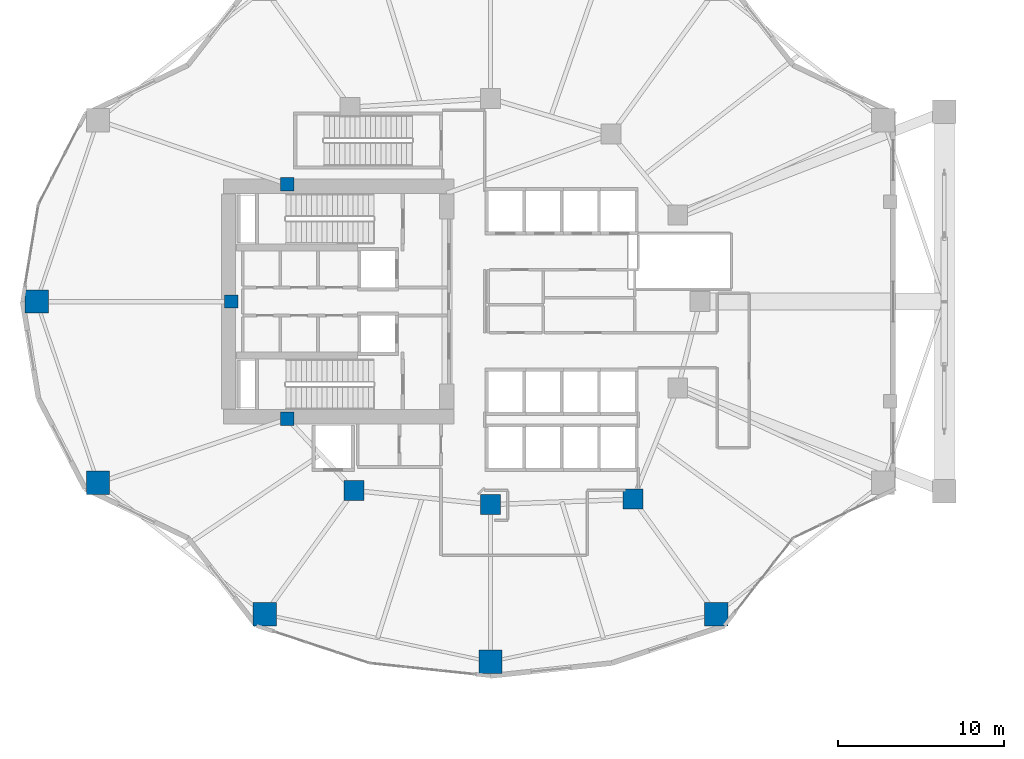
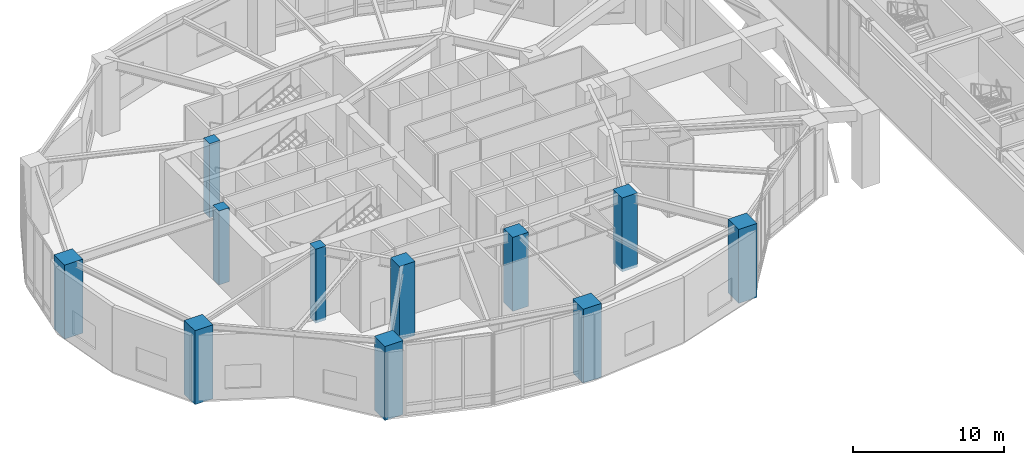
# One storey, part 1 of 25: 11 columns.
"""IFC4 building model written with IfcOpenShell, lengths in metres."""

from ifc_helpers import new_model, si_unit, direction, frame, origin, origin_2d, place, context, subcontext, project, spatial, rectangle, extrude, material, material_profile, profile_set, type_object, element, save


model = new_model("IFC4")

# Units and contexts
model_context = context("Model", 3, precision=1e-05, world=origin(), true_north=direction((0.0, 1.0)))
body_context = subcontext(model_context, "Body", "Model", "MODEL_VIEW")
ifc_project = project(units=[si_unit("LENGTHUNIT", "METRE"), si_unit("AREAUNIT", "SQUARE_METRE"), si_unit("VOLUMEUNIT", "CUBIC_METRE"), si_unit("PLANEANGLEUNIT", "RADIAN"), si_unit("MASSUNIT", "GRAM", prefix="KILO")], contexts=[model_context])

# Site, building, storey
site_placement = place(None, origin())
site = spatial("IfcSite", under=ifc_project, at=site_placement, CompositionType="ELEMENT")
building_placement = place(site_placement, origin())
building = spatial("IfcBuilding", under=site, at=building_placement, Name="Kolvaren Gate Tower and Convention Centre", CompositionType="ELEMENT")
storey_placement = place(building_placement, frame((0.0, 0.0, 15.0)))
storey = spatial("IfcBuildingStorey", under=building, at=storey_placement, Name="L03", CompositionType="ELEMENT", Elevation=15.0)

# Columns
ifc_material_1 = material(Name="Concrete C70/85", Category="concrete")
ifc_material_profile_1 = material_profile(ifc_material_1, rectangle(XDim=1.199951171875, YDim=1.199951171875, at=origin_2d()), Name="RC-COL-1200X1200")
ifc_profile_set_1 = profile_set([ifc_material_profile_1], Name="Concrete C70/85")
column_type_1 = type_object("IfcColumnType", Name="STR-COL-RC1200", PredefinedType="COLUMN", material=ifc_profile_set_1)
for number, where, z_axis, x_axis, name in (
    (1, (21.93212890625, 15.647705078125, -0.239990234375), (0.0, 0.0, 1.0), (1.0, 0.0, 0.0), "Tower L03 Interior Column TI-06"),
    (2, (30.125, 14.800048828125, -0.239990234375), (0.0, 0.0, 1.0), (1.0, 0.0, 0.0), "Tower L03 Interior Column TI-07"),
    (3, (38.6982421875, 15.12060546875, -0.239990234375), (0.0, 0.0, 1.0), (1.0, 0.0, 0.0), "Tower L03 Interior Column TI-08"),
):
    element("IfcColumn", number, at=place(storey_placement, frame(where, z_axis=z_axis, x_axis=x_axis)), inside=storey, type_object=column_type_1, Name=name, PredefinedType="COLUMN", context=body_context, shape_type="SweptSolid", body=[
        extrude(rectangle(XDim=1.199951171875, YDim=1.199951171875, at=origin_2d()), origin(), (0.0, 0.0, 1.0), 6.0),
    ])
ifc_material_profile_2 = material_profile(ifc_material_1, rectangle(XDim=1.39990234375, YDim=1.39990234375, at=origin_2d()), Name="RC-COL-1400X1400")
ifc_profile_set_2 = profile_set([ifc_material_profile_2], Name="Concrete C70/85")
column_type_2 = type_object("IfcColumnType", Name="STR-COL-RC1400", PredefinedType="COLUMN", material=ifc_profile_set_2)
for number, where, z_axis, x_axis, name in (
    (4, (2.85009765625, 27.0, -0.239990234375), (0.0, 0.0, 1.0), (1.0, 0.0, 0.0), "Tower L03 Perimeter Supercolumn TP-07"),
    (5, (6.539794921875, 16.1064453125, -0.239990234375), (0.0, 0.0, 1.0), (1.0, 0.0, 0.0), "Tower L03 Perimeter Supercolumn TP-08"),
    (6, (16.559814453125, 8.20361328125, -0.239990234375), (0.0, 0.0, 1.0), (1.0, 0.0, 0.0), "Tower L03 Perimeter Supercolumn TP-09"),
    (7, (30.125, 5.35009765625, -0.239990234375), (0.0, 0.0, 1.0), (1.0, 0.0, 0.0), "Tower L03 Perimeter Supercolumn TP-10"),
    (8, (43.690185546875, 8.20361328125, -0.239990234375), (0.0, 0.0, 1.0), (1.0, 0.0, 0.0), "Tower L03 Perimeter Supercolumn TP-11"),
):
    element("IfcColumn", number, at=place(storey_placement, frame(where, z_axis=z_axis, x_axis=x_axis)), inside=storey, type_object=column_type_2, Name=name, PredefinedType="COLUMN", context=body_context, shape_type="SweptSolid", body=[
        extrude(rectangle(XDim=1.39990234375, YDim=1.39990234375, at=origin_2d()), origin(), (0.0, 0.0, 1.0), 6.0),
    ])
ifc_material_2 = material(Name="Concrete C60/75", Category="concrete")
ifc_material_profile_3 = material_profile(ifc_material_2, rectangle(XDim=0.800048828125, YDim=0.800048828125, at=origin_2d()), Name="RC-COL-800X800")
ifc_profile_set_3 = profile_set([ifc_material_profile_3], Name="Concrete C60/75")
column_type_3 = type_object("IfcColumnType", Name="STR-PIL-RC800", PredefinedType="PILASTER", material=ifc_profile_set_3)
for number, where, z_axis, x_axis, name in (
    (9, (17.9140625, 34.050048828125, -0.239990234375), (0.0, 0.0, 1.0), (1.0, 0.0, 0.0), "Tower L03 Core Boundary Pilaster TC-05"),
    (10, (14.550048828125, 27.0, -0.239990234375), (0.0, 0.0, 1.0), (1.0, 0.0, 0.0), "Tower L03 Core Boundary Pilaster TC-06"),
    (11, (17.9140625, 19.949951171875, -0.239990234375), (0.0, 0.0, 1.0), (1.0, 0.0, 0.0), "Tower L03 Core Boundary Pilaster TC-07"),
):
    element("IfcColumn", number, at=place(storey_placement, frame(where, z_axis=z_axis, x_axis=x_axis)), inside=storey, type_object=column_type_3, Name=name, PredefinedType="PILASTER", context=body_context, shape_type="SweptSolid", body=[
        extrude(rectangle(XDim=0.800048828125, YDim=0.800048828125, at=origin_2d()), origin(), (0.0, 0.0, 1.0), 6.0),
    ])

save(model, "model.ifc")
